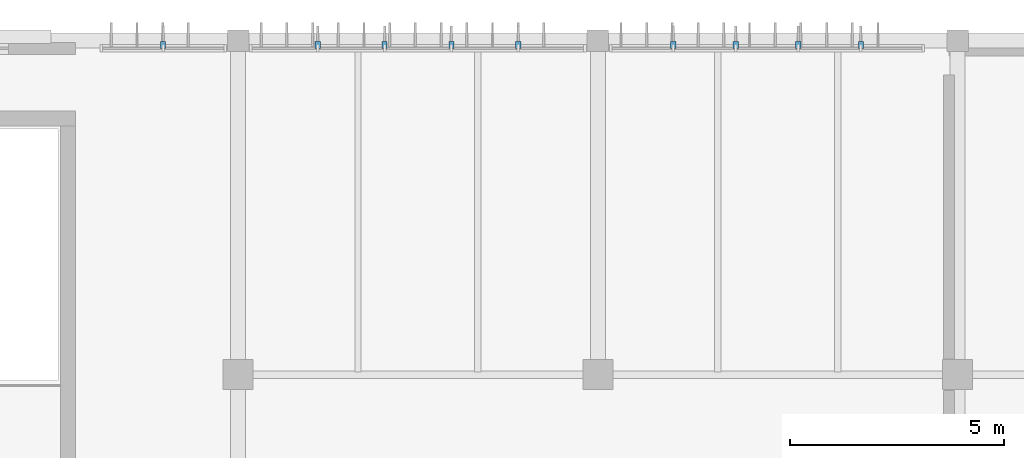
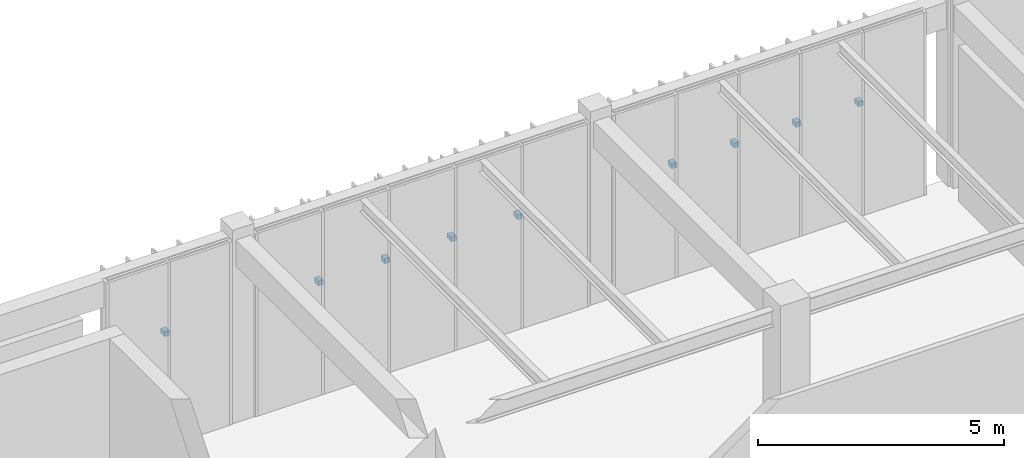
# One storey, part 53 of 122: 9 discrete accessories.
"""IFC4 building model written with IfcOpenShell, lengths in metres."""

from ifc_helpers import new_model, si_unit, direction, frame, origin, origin_2d, place, context, subcontext, project, spatial, rectangle, extrude, material, type_object, element, save


model = new_model("IFC4")

# Units and contexts
model_context = context("Model", 3, precision=1e-05, world=origin(), true_north=direction((0.0, 1.0)))
body_context = subcontext(model_context, "Body", "Model", "MODEL_VIEW")
ifc_project = project(units=[si_unit("LENGTHUNIT", "METRE"), si_unit("AREAUNIT", "SQUARE_METRE"), si_unit("VOLUMEUNIT", "CUBIC_METRE"), si_unit("PLANEANGLEUNIT", "RADIAN"), si_unit("MASSUNIT", "GRAM", prefix="KILO")], contexts=[model_context])

# Site, building, storey
site_placement = place(None, origin())
site = spatial("IfcSite", under=ifc_project, at=site_placement, CompositionType="ELEMENT")
building_placement = place(site_placement, origin())
building = spatial("IfcBuilding", under=site, at=building_placement, Name="Tazoul Stagehouse", CompositionType="ELEMENT")
storey_placement = place(building_placement, origin())
storey = spatial("IfcBuildingStorey", under=building, at=storey_placement, Name="L00", CompositionType="ELEMENT", Elevation=0.0)

# Discrete accessories
ifc_material = material(Name="Austenitic Stainless Steel EN 1.4401", Category="steel")
discrete_accessory_type = type_object("IfcDiscreteAccessoryType", Name="Stainless Steel Louvre Support Cleat Bracket", PredefinedType="BRACKET", material=ifc_material)
for number, where, z_axis, x_axis, name in (
    (1, (132.050048828125, 111.699951171875, 2.66064453125), (0.0, 0.0, 1.0), (1.0, 0.0, 0.0), "Cleat Bracket BRK-01 CW-V3-N3-L00-B1-BRK01"),
    (2, (135.659912109375, 111.699951171875, 2.66064453125), (0.0, 0.0, 1.0), (1.0, 0.0, 0.0), "Cleat Bracket BRK-01 CW-V3-N3-L00-B2-BRK01"),
    (3, (137.219970703125, 111.699951171875, 2.66064453125), (0.0, 0.0, 1.0), (1.0, 0.0, 0.0), "Cleat Bracket BRK-01 CW-V3-N3-L00-B2-BRK02"),
    (4, (138.780029296875, 111.699951171875, 2.66064453125), (0.0, 0.0, 1.0), (1.0, 0.0, 0.0), "Cleat Bracket BRK-01 CW-V3-N3-L00-B2-BRK03"),
    (5, (140.340087890625, 111.699951171875, 2.66064453125), (0.0, 0.0, 1.0), (1.0, 0.0, 0.0), "Cleat Bracket BRK-01 CW-V3-N3-L00-B2-BRK04"),
    (6, (143.9599609375, 111.699951171875, 2.66064453125), (0.0, 0.0, 1.0), (1.0, 0.0, 0.0), "Cleat Bracket BRK-01 CW-V3-N3-L00-B3-BRK01"),
    (7, (145.419921875, 111.699951171875, 2.66064453125), (0.0, 0.0, 1.0), (1.0, 0.0, 0.0), "Cleat Bracket BRK-01 CW-V3-N3-L00-B3-BRK02"),
    (8, (146.8798828125, 111.699951171875, 2.66064453125), (0.0, 0.0, 1.0), (1.0, 0.0, 0.0), "Cleat Bracket BRK-01 CW-V3-N3-L00-B3-BRK03"),
    (9, (148.340087890625, 111.699951171875, 2.66064453125), (0.0, 0.0, 1.0), (1.0, 0.0, 0.0), "Cleat Bracket BRK-01 CW-V3-N3-L00-B3-BRK04"),
):
    element("IfcDiscreteAccessory", number, at=place(storey_placement, frame(where, z_axis=z_axis, x_axis=x_axis)), inside=storey, type_object=discrete_accessory_type, Name=name, PredefinedType="BRACKET", context=body_context, shape_type="SweptSolid", body=[
        extrude(rectangle(XDim=0.1201171875, YDim=0.159912109375, at=origin_2d()), origin(), (0.0, 0.0, 1.0), 0.1201171875),
    ])

save(model, "model.ifc")
